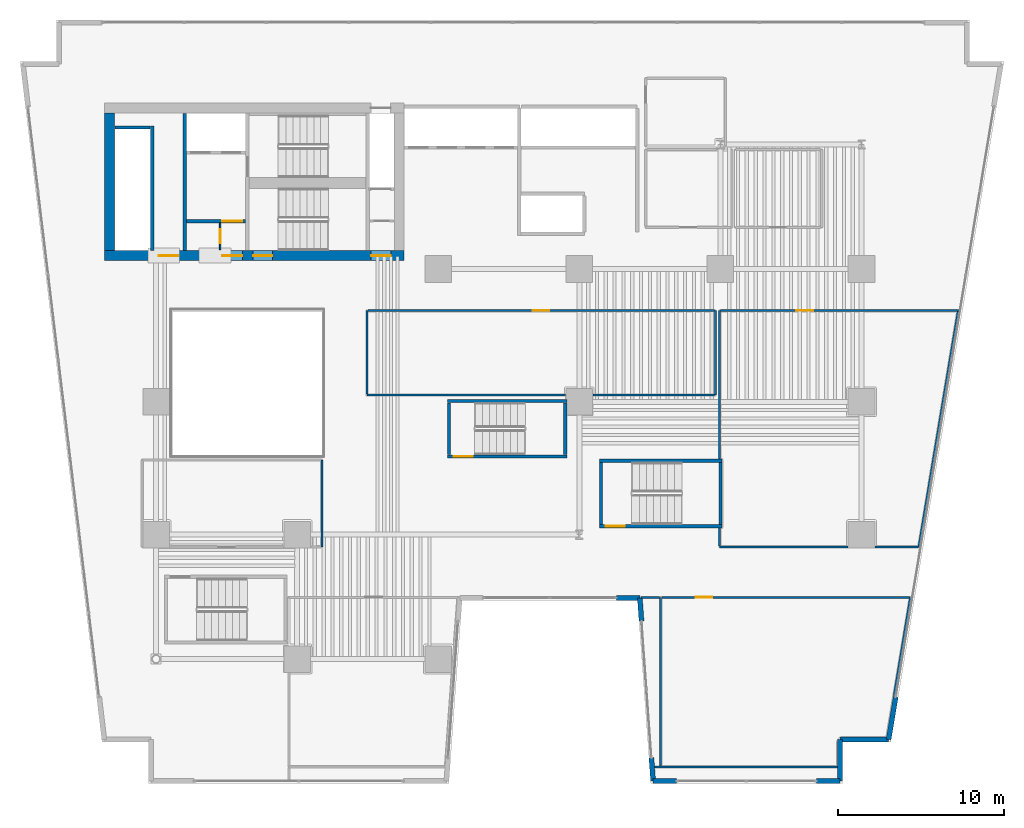
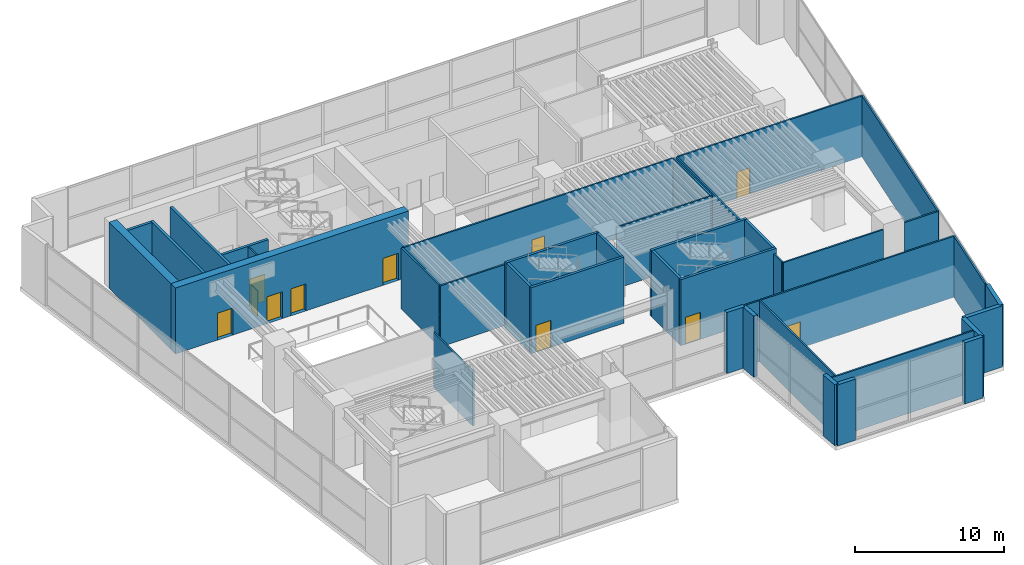
# One storey, part 9 of 16: 40 walls, 11 doors, 11 openings.
"""IFC4 building model written with IfcOpenShell, lengths in metres."""

import ifcopenshell
import ifcopenshell.guid

model = None  # the IFC model being written
_history = None  # IfcOwnerHistory: only IFC2X3 demands one
_inside = {}  # id of a spatial element -> (the spatial element, [elements in it])
_under = {}  # id of a project, library or spatial element -> (it, [spatial elements below it])
_declared = {}  # id of a project -> (the project, [libraries it declares])
_typed = {}  # id of a type object -> (the type object, [elements of that type])
_made_of = {}  # id of a material, layer set ... -> (it, [elements and type objects made of it])


def new_model(schema):
    """Start an empty IFC model of exactly this schema.

    Asked for "IFC4X3", IfcOpenShell would pick the latest addendum, in which some entities
    have other attributes; the version numbers below select the first issue.
    IFC2X3 requires an IfcOwnerHistory on every rooted entity: one is made here for all.
    """
    global model, _history
    if schema == "IFC4X3":
        model = ifcopenshell.file(schema_version=(4, 3, 0, 0))
    else:
        model = ifcopenshell.file(schema=schema)
    _inside.clear()
    _under.clear()
    _declared.clear()
    _typed.clear()
    _made_of.clear()
    _history = None
    if model.schema == "IFC2X3":
        org = make("IfcOrganization", Name="unknown")
        user = make(
            "IfcPersonAndOrganization",
            ThePerson=make("IfcPerson", FamilyName="unknown"),
            TheOrganization=org,
        )
        app = make(
            "IfcApplication",
            ApplicationDeveloper=org,
            Version="unknown",
            ApplicationFullName="unknown",
            ApplicationIdentifier="unknown",
        )
        _history = make(
            "IfcOwnerHistory",
            OwningUser=user,
            OwningApplication=app,
            ChangeAction="ADDED",
            CreationDate=0,
        )
    return model


def make(cls, **values):
    """One entity of the class cls with the attributes given. An attribute that is None is left unset."""
    return model.create_entity(
        cls, **{name: value for name, value in values.items() if value is not None}
    )


def rooted(cls, **values):
    """An entity with a GlobalId (a new one), such as an element, a storey or a relation."""
    return make(cls, GlobalId=ifcopenshell.guid.new(), OwnerHistory=_history, **values)


def si_unit(unit_type, name, prefix=None):
    """IfcSIUnit, for example si_unit("LENGTHUNIT", "METRE", prefix="MILLI")."""
    return make("IfcSIUnit", UnitType=unit_type, Prefix=prefix, Name=name)


def assignment(units):
    """IfcUnitAssignment: the units of a project."""
    return None if units is None else make("IfcUnitAssignment", Units=units)


def point(xyz):
    """IfcCartesianPoint."""
    return None if xyz is None else make("IfcCartesianPoint", Coordinates=xyz)


def direction(xyz):
    """IfcDirection."""
    return None if xyz is None else make("IfcDirection", DirectionRatios=xyz)


def frame(location, z_axis=None, x_axis=None):
    """IfcAxis2Placement3D, a coordinate frame: its origin and axes. An axis left out is left unset."""
    return make(
        "IfcAxis2Placement3D",
        Location=point(location),
        Axis=direction(z_axis),
        RefDirection=direction(x_axis),
    )


def frame_2d(location, x_axis=None):
    """IfcAxis2Placement2D, a coordinate frame in the plane: its origin and x axis."""
    return make(
        "IfcAxis2Placement2D", Location=point(location), RefDirection=direction(x_axis)
    )


def origin():
    """The frame at (0, 0, 0) with its axes left unset."""
    return frame((0.0, 0.0, 0.0))


def place(relative_to, where):
    """IfcLocalPlacement: puts the frame where relative to a parent placement (None: the world)."""
    return make(
        "IfcLocalPlacement", PlacementRelTo=relative_to, RelativePlacement=where
    )


def context(
    kind, dimensions, precision=None, world=None, true_north=None, identifier=None
):
    """IfcGeometricRepresentationContext, for example the 3D "Model" context."""
    return make(
        "IfcGeometricRepresentationContext",
        ContextIdentifier=identifier,
        ContextType=kind,
        CoordinateSpaceDimension=dimensions,
        Precision=precision,
        WorldCoordinateSystem=world,
        TrueNorth=true_north,
    )


def subcontext(parent, identifier, kind, view, scale=None):
    """IfcGeometricRepresentationSubContext, for example "Body" below "Model"."""
    return make(
        "IfcGeometricRepresentationSubContext",
        ContextIdentifier=identifier,
        ContextType=kind,
        ParentContext=parent,
        TargetScale=scale,
        TargetView=view,
    )


def project(units=None, contexts=None):
    """IfcProject with its units and contexts."""
    return rooted(
        "IfcProject",
        Name="project",
        RepresentationContexts=contexts,
        UnitsInContext=assignment(units),
    )


def spatial(cls, under=None, at=None, **own):
    """A site, building, storey or space (cls), placed at a placement, below another one or the project."""
    s = rooted(cls, ObjectPlacement=at, **own)
    if under is not None:
        _under.setdefault(under.id(), (under, []))[1].append(s)
    return s


def profile(cls, at=None, kind="AREA", **sizes):
    """A parametric profile (cls). Its sizes go by their IFC names, for example OverallWidth=200.0."""
    return make(cls, ProfileType=kind, Position=at, **sizes)


def rectangle(**sizes):
    """IfcRectangleProfileDef."""
    return profile("IfcRectangleProfileDef", **sizes)


def extrude(swept, where, along, depth):
    """IfcExtrudedAreaSolid: the profile swept, set in the frame where, extruded along a direction by depth."""
    return make(
        "IfcExtrudedAreaSolid",
        SweptArea=swept,
        Position=where,
        ExtrudedDirection=direction(along),
        Depth=depth,
    )


def shape(context_of_items, identifier, shape_type, items):
    """IfcShapeRepresentation: the items that make up one representation, for example the "Body"."""
    return make(
        "IfcShapeRepresentation",
        ContextOfItems=context_of_items,
        RepresentationIdentifier=identifier,
        RepresentationType=shape_type,
        Items=items,
    )


def material(Name=None, Category=None):
    """IfcMaterial."""
    return make("IfcMaterial", Name=Name, Category=Category)


def layer(
    of_material, thickness, ventilated=None, Name=None, Category=None, Priority=None
):
    """IfcMaterialLayer: one layer of a wall or slab, of a material (None: an air gap)."""
    return make(
        "IfcMaterialLayer",
        Material=of_material,
        LayerThickness=thickness,
        IsVentilated=ventilated,
        Name=Name,
        Category=Category,
        Priority=Priority,
    )


def layer_set(layers, Name=None):
    """IfcMaterialLayerSet."""
    return make("IfcMaterialLayerSet", MaterialLayers=layers, LayerSetName=Name)


def made_of(thing, what):
    """Note that an element or type object is made of a material, layer set ...; save() writes the relation."""
    if what is not None:
        _made_of.setdefault(what.id(), (what, []))[1].append(thing)
    return thing


def type_object(cls, material=None, **own):
    """A type object (cls), such as IfcWallType, which elements share."""
    return made_of(rooted(cls, **own), material)


def element(
    cls,
    number,
    at=None,
    inside=None,
    cuts=None,
    type_object=None,
    material=None,
    context=None,
    identifier="Body",
    shape_type=None,
    held_by="IfcProductDefinitionShape",
    body=None,
    shapes=None,
    **own,
):
    """One element of the class cls, such as IfcWall. Its Tag is "e" and its number.

    at: its placement. inside: the storey or other place that contains it. cuts: it is an
    opening in that element (IfcRelVoidsElement). A single representation is given by context,
    identifier, shape_type and body (its items); several are given by shapes. held_by: the class
    of the entity that holds the representations. save() writes the other relations.
    """
    e = rooted(cls, Tag="e%d" % number, ObjectPlacement=at, **own)
    if body is not None:
        shapes = [shape(context, identifier, shape_type, body)]
    if shapes is not None:
        e.Representation = make(held_by, Representations=shapes)
    if inside is not None:
        _inside.setdefault(inside.id(), (inside, []))[1].append(e)
    if cuts is not None:
        rooted(
            "IfcRelVoidsElement", RelatingBuildingElement=cuts, RelatedOpeningElement=e
        )
    if type_object is not None:
        _typed.setdefault(type_object.id(), (type_object, []))[1].append(e)
    return made_of(e, material)


def fill(opening, filler):
    """IfcRelFillsElement: the door or window that sits in an opening."""
    return rooted(
        "IfcRelFillsElement",
        RelatingOpeningElement=opening,
        RelatedBuildingElement=filler,
    )


def aggregate(whole, parts):
    """IfcRelAggregates: a whole, such as a stair, and the parts it consists of."""
    return rooted("IfcRelAggregates", RelatingObject=whole, RelatedObjects=parts)


def save(model, path):
    """Write the relations noted so far, then the file.

    IfcRelAggregates (storeys below a building ...), IfcRelContainedInSpatialStructure (elements
    in a storey), IfcRelDefinesByType, IfcRelAssociatesMaterial and IfcRelDeclares: one each for
    every whole, place, type object, material and project.
    """
    for whole, parts in _under.values():
        aggregate(whole, parts)
    for where, things in _inside.values():
        rooted(
            "IfcRelContainedInSpatialStructure",
            RelatedElements=things,
            RelatingStructure=where,
        )
    for kind, things in _typed.values():
        rooted("IfcRelDefinesByType", RelatedObjects=things, RelatingType=kind)
    for what, things in _made_of.values():
        rooted("IfcRelAssociatesMaterial", RelatedObjects=things, RelatingMaterial=what)
    for by, libraries in _declared.values():
        rooted("IfcRelDeclares", RelatingContext=by, RelatedDefinitions=libraries)
    model.write(path)


model = new_model("IFC4")

# Units and contexts
model_context = context("Model", 3, precision=1e-05, world=origin(), true_north=direction((0.0, 1.0)))
body_context = subcontext(model_context, "Body", "Model", "MODEL_VIEW")
ifc_project = project(units=[si_unit("LENGTHUNIT", "METRE"), si_unit("AREAUNIT", "SQUARE_METRE"), si_unit("VOLUMEUNIT", "CUBIC_METRE"), si_unit("PLANEANGLEUNIT", "RADIAN"), si_unit("MASSUNIT", "GRAM", prefix="KILO")], contexts=[model_context])

# Site, building, storey
site_placement = place(None, origin())
site = spatial("IfcSite", under=ifc_project, at=site_placement, CompositionType="ELEMENT")
building_placement = place(site_placement, origin())
building = spatial("IfcBuilding", under=site, at=building_placement, Name="Caeloran Harvest Quay", CompositionType="ELEMENT")
storey_placement = place(building_placement, frame((0.0, 0.0, 16.199951171875)))
storey = spatial("IfcBuildingStorey", under=building, at=storey_placement, Name="L04", CompositionType="ELEMENT", Elevation=16.199951171875)

# Walls
ifc_material_1 = material(Name="Precast concrete C50/60", Category="concrete")
ifc_layer_1 = layer(ifc_material_1, 0.300048828125, Name="Precast concrete C50/60")
ifc_layer_set_1 = layer_set([ifc_layer_1], Name="Precast concrete C50/60")
wall_type_1 = type_object("IfcWallType", Name="ENV-WALL-EW-300", PredefinedType="STANDARD", material=ifc_layer_set_1)
wall_1_placement = place(storey_placement, frame((53.059814453125, 5.214599609375, 0.0), z_axis=(0.0, 0.0, 1.0), x_axis=(-0.164140117583, -0.986437033875, 0.0)))
element("IfcWall", 1, at=wall_1_placement, inside=storey, type_object=wall_type_1, Name="L04 Exterior Facade Corner Pier Wall 9B", PredefinedType="STANDARD", context=body_context, shape_type="SweptSolid", body=[
    extrude(rectangle(XDim=2.599853515625, YDim=0.300048828125, at=frame_2d((1.2998046875, 0.0))), origin(), (0.0, 0.0, 1.0), 5.0),
])
wall_2_placement = place(storey_placement, frame((52.633056640625, 2.64990234375, 0.0), z_axis=(0.0, 0.0, 1.0), x_axis=(-1.0, 0.0, 0.0)))
element("IfcWall", 2, at=wall_2_placement, inside=storey, type_object=wall_type_1, Name="L04 Exterior Precast Concrete Facade Wall 10", PredefinedType="STANDARD", context=body_context, shape_type="SweptSolid", body=[
    extrude(rectangle(XDim=2.93896484375, YDim=0.300048828125, at=frame_2d((1.469482421875, 0.0))), origin(), (0.0, 0.0, 1.0), 5.0),
])
wall_3_placement = place(storey_placement, frame((49.694091796875, 2.64990234375, 0.0), z_axis=(0.0, 0.0, 1.0), x_axis=(0.0, -1.0, 0.0)))
element("IfcWall", 3, at=wall_3_placement, inside=storey, type_object=wall_type_1, Name="L04 Exterior Precast Concrete Facade Wall 11", PredefinedType="STANDARD", context=body_context, shape_type="SweptSolid", body=[
    extrude(rectangle(XDim=2.5, YDim=0.300048828125, at=frame_2d((1.25, 0.0))), origin(), (0.0, 0.0, 1.0), 5.0),
])
wall_4_placement = place(storey_placement, frame((49.694091796875, 0.14990234375, 0.0), z_axis=(0.0, 0.0, 1.0), x_axis=(-1.0, 0.0, 0.0)))
element("IfcWall", 4, at=wall_4_placement, inside=storey, type_object=wall_type_1, Name="L04 Exterior Facade Corner Pier Wall 12A", PredefinedType="STANDARD", context=body_context, shape_type="SweptSolid", body=[
    extrude(rectangle(XDim=1.400146484375, YDim=0.300048828125, at=frame_2d((0.7001953125, 0.0))), origin(), (0.0, 0.0, 1.0), 5.0),
])
wall_5_placement = place(storey_placement, frame((39.843505859375, 0.14990234375, 0.0), z_axis=(0.0, 0.0, 1.0), x_axis=(-1.0, 0.0, 0.0)))
element("IfcWall", 5, at=wall_5_placement, inside=storey, type_object=wall_type_1, Name="L04 Exterior Facade Corner Pier Wall 12B", PredefinedType="STANDARD", context=body_context, shape_type="SweptSolid", body=[
    extrude(rectangle(XDim=1.39990234375, YDim=0.300048828125, at=frame_2d((0.699951171875, 0.0))), origin(), (0.0, 0.0, 1.0), 5.0),
])
wall_6_placement = place(storey_placement, frame((38.443603515625, 0.14990234375, 0.0), z_axis=(0.0, 0.0, 1.0), x_axis=(-0.072362245244, 0.997378416381, 0.0)))
element("IfcWall", 6, at=wall_6_placement, inside=storey, type_object=wall_type_1, Name="L04 Exterior Facade Corner Pier Wall 13A", PredefinedType="STANDARD", context=body_context, shape_type="SweptSolid", body=[
    extrude(rectangle(XDim=1.400146484375, YDim=0.300048828125, at=frame_2d((0.7001953125, 0.0))), origin(), (0.0, 0.0, 1.0), 5.0),
])
wall_7_placement = place(storey_placement, frame((37.74462890625, 9.793701171875, 0.0), z_axis=(0.0, 0.0, 1.0), x_axis=(-0.072201344972, 0.997390077043, 0.0)))
element("IfcWall", 7, at=wall_7_placement, inside=storey, type_object=wall_type_1, Name="L04 Exterior Facade Corner Pier Wall 13B", PredefinedType="STANDARD", context=body_context, shape_type="SweptSolid", body=[
    extrude(rectangle(XDim=1.39990234375, YDim=0.300048828125, at=frame_2d((0.699951171875, 0.0))), origin(), (0.0, 0.0, 1.0), 5.0),
])
wall_8_placement = place(storey_placement, frame((37.6435546875, 11.18994140625, 0.0), z_axis=(0.0, 0.0, 1.0), x_axis=(-1.0, 0.0, 0.0)))
element("IfcWall", 8, at=wall_8_placement, inside=storey, type_object=wall_type_1, Name="L04 Exterior Facade Corner Pier Wall 14A", PredefinedType="STANDARD", context=body_context, shape_type="SweptSolid", body=[
    extrude(rectangle(XDim=1.400146484375, YDim=0.300048828125, at=frame_2d((0.7001953125, 0.0))), origin(), (0.0, 0.0, 1.0), 5.0),
])

# Wall, opening, door
ifc_material_2 = material(Name="Fire-Resisting Gypsum Core Riser Partition", Category="gypsum")
ifc_layer_2 = layer(ifc_material_2, 0.10009765625, Name="Fire-Resisting Gypsum Core Riser Partition")
ifc_layer_set_2 = layer_set([ifc_layer_2], Name="Fire-Resisting Gypsum Core Riser Partition")
wall_type_2 = type_object("IfcWallType", Name="INT-WALL-PW-100", PredefinedType="PARTITIONING", material=ifc_layer_set_2)
wall_9_placement = place(storey_placement, frame((12.360107421875, 32.159912109375, 0.0), z_axis=(0.0, 0.0, 1.0), x_axis=(0.0, 1.0, 0.0)))
wall_9 = element("IfcWall", 9, at=wall_9_placement, inside=storey, type_object=wall_type_2, Name="L04 Core Store Partition Wall", PredefinedType="PARTITIONING", context=body_context, shape_type="SweptSolid", body=[
    extrude(rectangle(XDim=1.6201171875, YDim=0.10009765625, at=frame_2d((0.81005859375, 0.0))), origin(), (0.0, 0.0, 1.0), 5.0),
])
opening_1_placement = place(wall_9_placement, frame((0.3798828125, 0.0, 0.0)))
opening_1 = element("IfcOpeningElement", 10, at=opening_1_placement, cuts=wall_9, Name="Opening SV-01", PredefinedType="OPENING", context=body_context, shape_type="SweptSolid", body=[
    extrude(rectangle(XDim=0.85009765625, YDim=2.10009765625, at=frame_2d((0.425048828125, 1.050048828125))), frame((0.0, 0.06005859375, 0.0), z_axis=(0.0, -1.0, 0.0), x_axis=(1.0, 0.0, 0.0)), (0.0, 0.0, 1.0), 0.1201171875),
])
ifc_material_3 = material(Name="Galvanized Painted Steel", Category="steel")
door_type_1 = type_object("IfcDoorType", Name="INTDOOR-SV-01", OperationType="NOTDEFINED", PredefinedType="DOOR", material=ifc_material_3)
door_1_placement = place(opening_1_placement, origin())
door_1 = element("IfcDoor", 11, at=door_1_placement, inside=storey, type_object=door_type_1, Name="L04 Core Service Room Access Door", OperationType="SINGLE_SWING_LEFT", OverallHeight=2.10009765625, OverallWidth=0.85009765625, PredefinedType="DOOR", context=body_context, shape_type="SweptSolid", body=[
    extrude(rectangle(XDim=0.85009765625, YDim=2.10009765625, at=frame_2d((0.425048828125, 1.050048828125))), frame((0.0, 0.02490234375, 0.0), z_axis=(0.0, -1.0, 0.0), x_axis=(1.0, 0.0, 0.0)), (0.0, 0.0, 1.0), 0.050048828125),
])
fill(opening_1, door_1)

# Walls
ifc_material_4 = material(Name="Twin-Stud Mineral-Wool Acoustic Gypsum Partition", Category="gypsum")
ifc_layer_3 = layer(ifc_material_4, 0.125, Name="Twin-Stud Mineral-Wool Acoustic Gypsum Partition")
ifc_layer_set_3 = layer_set([ifc_layer_3], Name="Twin-Stud Mineral-Wool Acoustic Gypsum Partition")
wall_type_3 = type_object("IfcWallType", Name="INT-WALL-PW-125", PredefinedType="PARTITIONING", material=ifc_layer_set_3)
wall_10_placement = place(storey_placement, frame((18.5, 19.5, 0.0), z_axis=(0.0, 0.0, 1.0), x_axis=(0.0, -1.0, 0.0)))
element("IfcWall", 12, at=wall_10_placement, inside=storey, type_object=wall_type_3, Name="Urban Agriculture Culinary Teaching Classroom Partition Wall", PredefinedType="PARTITIONING", context=body_context, shape_type="SweptSolid", body=[
    extrude(rectangle(XDim=5.25, YDim=0.125, at=frame_2d((2.625, 0.0))), origin(), (0.0, 0.0, 1.0), 4.485107421875),
])
wall_11_placement = place(storey_placement, frame((53.947998046875, 11.219970703125, 0.0), z_axis=(0.0, 0.0, 1.0), x_axis=(-0.164154643918, -0.986434616627, 0.0)))
element("IfcWall", 13, at=wall_11_placement, inside=storey, type_object=wall_type_3, Name="Demonstration Training Kitchen Partition Wall", PredefinedType="PARTITIONING", context=body_context, shape_type="SweptSolid", body=[
    extrude(rectangle(XDim=5.9951171875, YDim=0.125, at=frame_2d((2.99755859375, 0.0))), origin(), (0.0, 0.0, 1.0), 5.0),
])
wall_12_placement = place(storey_placement, frame((49.5390625, 1.0, 0.0), z_axis=(0.0, 0.0, 1.0), x_axis=(-1.0, 0.0, 0.0)))
element("IfcWall", 14, at=wall_12_placement, inside=storey, type_object=wall_type_3, Name="Demonstration Training Kitchen Partition Wall", PredefinedType="PARTITIONING", context=body_context, shape_type="SweptSolid", body=[
    extrude(rectangle(XDim=11.001708984375, YDim=0.125, at=frame_2d((5.5009765625, 0.0))), origin(), (0.0, 0.0, 1.0), 5.0),
])
wall_13_placement = place(storey_placement, frame((38.89990234375, 1.0673828125, 0.0), z_axis=(0.0, 0.0, 1.0), x_axis=(0.0, 1.0, 0.0)))
element("IfcWall", 15, at=wall_13_placement, inside=storey, type_object=wall_type_3, Name="Demonstration Training Kitchen Partition Wall", PredefinedType="PARTITIONING", context=body_context, shape_type="SweptSolid", body=[
    extrude(rectangle(XDim=10.152587890625, YDim=0.125, at=frame_2d((5.076171875, 0.0))), origin(), (0.0, 0.0, 1.0), 5.0),
])
wall_14_placement = place(storey_placement, frame((37.718017578125, 11.219970703125, 0.0), z_axis=(0.0, 0.0, 1.0), x_axis=(1.0, 0.0, 0.0)))
element("IfcWall", 16, at=wall_14_placement, inside=storey, type_object=wall_type_3, Name="Demonstration Training Kitchen Partition Wall", PredefinedType="PARTITIONING", context=body_context, shape_type="SweptSolid", body=[
    extrude(rectangle(XDim=1.114501953125, YDim=0.125, at=frame_2d((0.55712890625, 0.0))), origin(), (0.0, 0.0, 1.0), 5.0),
])

# Wall, opening, door
wall_15_placement = place(storey_placement, frame((38.967529296875, 11.219970703125, 0.0), z_axis=(0.0, 0.0, 1.0), x_axis=(1.0, 0.0, 0.0)))
wall_15 = element("IfcWall", 17, at=wall_15_placement, inside=storey, type_object=wall_type_3, Name="Demonstration Training Kitchen Partition Wall", PredefinedType="PARTITIONING", context=body_context, shape_type="SweptSolid", body=[
    extrude(rectangle(XDim=14.912109375, YDim=0.125, at=frame_2d((7.4560546875, 0.0))), origin(), (0.0, 0.0, 1.0), 5.0),
])
opening_2_placement = place(wall_15_placement, frame((2.0341796875, 0.0, 0.0)))
opening_2 = element("IfcOpeningElement", 18, at=opening_2_placement, cuts=wall_15, Name="Opening ID-01", PredefinedType="OPENING", context=body_context, shape_type="SweptSolid", body=[
    extrude(rectangle(XDim=1.0, YDim=2.14990234375, at=frame_2d((0.5, 1.074951171875))), frame((0.0, 0.072509765625, 0.0), z_axis=(0.0, -1.0, 0.0), x_axis=(1.0, 0.0, 0.0)), (0.0, 0.0, 1.0), 0.14501953125),
])
ifc_material_5 = material(Name="FSC Solid-Core Ash Timber and Acoustic Seal", Category="wood")
door_type_2 = type_object("IfcDoorType", Name="INTDOOR-ID-01", OperationType="NOTDEFINED", PredefinedType="DOOR", material=ifc_material_5)
door_2_placement = place(opening_2_placement, origin())
door_2 = element("IfcDoor", 19, at=door_2_placement, inside=storey, type_object=door_type_2, Name="Demonstration Training Kitchen Access Door", OperationType="SINGLE_SWING_RIGHT", OverallHeight=2.14990234375, OverallWidth=1.0, PredefinedType="DOOR", context=body_context, shape_type="SweptSolid", body=[
    extrude(rectangle(XDim=1.0, YDim=2.14990234375, at=frame_2d((0.5, 1.074951171875))), frame((0.0, 0.02490234375, 0.0), z_axis=(0.0, -1.0, 0.0), x_axis=(1.0, 0.0, 0.0)), (0.0, 0.0, 1.0), 0.050048828125),
])
fill(opening_2, door_2)

# Walls
wall_16_placement = place(storey_placement, frame((42.199951171875, 28.5, 0.0), z_axis=(0.0, 0.0, 1.0), x_axis=(0.0, -1.0, 0.0)))
element("IfcWall", 20, at=wall_16_placement, inside=storey, type_object=wall_type_3, Name="Seed-to-Plate Exhibition Gallery Partition Wall", PredefinedType="PARTITIONING", context=body_context, shape_type="SweptSolid", body=[
    extrude(rectangle(XDim=5.10009765625, YDim=0.125, at=frame_2d((2.550048828125, 0.0))), origin(), (0.0, 0.0, 1.0), 5.0),
])
wall_17_placement = place(storey_placement, frame((42.132568359375, 23.39990234375, 0.0), z_axis=(0.0, 0.0, 1.0), x_axis=(-1.0, 0.0, 0.0)))
element("IfcWall", 21, at=wall_17_placement, inside=storey, type_object=wall_type_3, Name="Seed-to-Plate Exhibition Gallery Partition Wall", PredefinedType="PARTITIONING", context=body_context, shape_type="SweptSolid", body=[
    extrude(rectangle(XDim=7.3076171875, YDim=0.125, at=frame_2d((3.65380859375, 0.0))), origin(), (0.0, 0.0, 1.0), 5.0),
])
wall_18_placement = place(storey_placement, frame((33.175048828125, 23.39990234375, 0.0), z_axis=(0.0, 0.0, 1.0), x_axis=(-1.0, 0.0, 0.0)))
element("IfcWall", 22, at=wall_18_placement, inside=storey, type_object=wall_type_3, Name="Seed-to-Plate Exhibition Gallery Partition Wall", PredefinedType="PARTITIONING", context=body_context, shape_type="SweptSolid", body=[
    extrude(rectangle(XDim=11.97509765625, YDim=0.125, at=frame_2d((5.987548828125, 0.0))), origin(), (0.0, 0.0, 1.0), 5.0),
])
wall_19_placement = place(storey_placement, frame((21.199951171875, 23.467529296875, 0.0), z_axis=(0.0, 0.0, 1.0), x_axis=(0.0, 1.0, 0.0)))
element("IfcWall", 23, at=wall_19_placement, inside=storey, type_object=wall_type_3, Name="Seed-to-Plate Exhibition Gallery Partition Wall", PredefinedType="PARTITIONING", context=body_context, shape_type="SweptSolid", body=[
    extrude(rectangle(XDim=5.032470703125, YDim=0.125, at=frame_2d((2.51611328125, 0.0))), origin(), (0.0, 0.0, 1.0), 5.0),
])

# Wall, opening, door
wall_20_placement = place(storey_placement, frame((21.267578125, 28.5, 0.0), z_axis=(0.0, 0.0, 1.0), x_axis=(1.0, 0.0, 0.0)))
wall_20 = element("IfcWall", 24, at=wall_20_placement, inside=storey, type_object=wall_type_3, Name="Seed-to-Plate Exhibition Gallery Partition Wall", PredefinedType="PARTITIONING", context=body_context, shape_type="SweptSolid", body=[
    extrude(rectangle(XDim=20.864990234375, YDim=0.125, at=frame_2d((10.4326171875, 0.0))), origin(), (0.0, 0.0, 1.0), 5.0),
])
opening_3_placement = place(wall_20_placement, frame((9.9326171875, 0.0, 0.0)))
opening_3 = element("IfcOpeningElement", 25, at=opening_3_placement, cuts=wall_20, Name="Opening ID-01", PredefinedType="OPENING", context=body_context, shape_type="SweptSolid", body=[
    extrude(rectangle(XDim=1.0, YDim=2.14990234375, at=frame_2d((0.5, 1.074951171875))), frame((0.0, 0.072509765625, 0.0), z_axis=(0.0, -1.0, 0.0), x_axis=(1.0, 0.0, 0.0)), (0.0, 0.0, 1.0), 0.14501953125),
])
door_3_placement = place(opening_3_placement, origin())
door_3 = element("IfcDoor", 26, at=door_3_placement, inside=storey, type_object=door_type_2, Name="Seed-to-Plate Exhibition Gallery Access Door", OperationType="SINGLE_SWING_LEFT", OverallHeight=2.14990234375, OverallWidth=1.0, PredefinedType="DOOR", context=body_context, shape_type="SweptSolid", body=[
    extrude(rectangle(XDim=1.0, YDim=2.14990234375, at=frame_2d((0.5, 1.074951171875))), frame((0.0, 0.02490234375, 0.0), z_axis=(0.0, -1.0, 0.0), x_axis=(1.0, 0.0, 0.0)), (0.0, 0.0, 1.0), 0.050048828125),
])
fill(opening_3, door_3)

# Wall
wall_21_placement = place(storey_placement, frame((42.449951171875, 19.554931640625, 0.0), z_axis=(0.0, 0.0, 1.0), x_axis=(0.0, 1.0, 0.0)))
element("IfcWall", 27, at=wall_21_placement, inside=storey, type_object=wall_type_3, Name="Community Harvest Library Lounge Partition Wall", PredefinedType="PARTITIONING", context=body_context, shape_type="SweptSolid", body=[
    extrude(rectangle(XDim=8.945068359375, YDim=0.125, at=frame_2d((4.47265625, 0.0))), origin(), (0.0, 0.0, 1.0), 5.0),
])

# Wall, opening, door
wall_22_placement = place(storey_placement, frame((42.517578125, 28.5, 0.0), z_axis=(0.0, 0.0, 1.0), x_axis=(1.0, 0.0, 0.0)))
wall_22 = element("IfcWall", 28, at=wall_22_placement, inside=storey, type_object=wall_type_3, Name="Community Harvest Library Lounge Partition Wall", PredefinedType="PARTITIONING", context=body_context, shape_type="SweptSolid", body=[
    extrude(rectangle(XDim=14.311279296875, YDim=0.125, at=frame_2d((7.15576171875, 0.0))), origin(), (0.0, 0.0, 1.0), 5.0),
])
opening_4_placement = place(wall_22_placement, frame((4.564208984375, 0.0, 0.0)))
opening_4 = element("IfcOpeningElement", 29, at=opening_4_placement, cuts=wall_22, Name="Opening ID-01", PredefinedType="OPENING", context=body_context, shape_type="SweptSolid", body=[
    extrude(rectangle(XDim=1.0, YDim=2.14990234375, at=frame_2d((0.5, 1.074951171875))), frame((0.0, 0.072509765625, 0.0), z_axis=(0.0, -1.0, 0.0), x_axis=(1.0, 0.0, 0.0)), (0.0, 0.0, 1.0), 0.14501953125),
])
door_4_placement = place(opening_4_placement, origin())
door_4 = element("IfcDoor", 30, at=door_4_placement, inside=storey, type_object=door_type_2, Name="Community Harvest Library Lounge Access Door", OperationType="SINGLE_SWING_RIGHT", OverallHeight=2.14990234375, OverallWidth=1.0, PredefinedType="DOOR", context=body_context, shape_type="SweptSolid", body=[
    extrude(rectangle(XDim=1.0, YDim=2.14990234375, at=frame_2d((0.5, 1.074951171875))), frame((0.0, 0.02490234375, 0.0), z_axis=(0.0, -1.0, 0.0), x_axis=(1.0, 0.0, 0.0)), (0.0, 0.0, 1.0), 0.050048828125),
])
fill(opening_4, door_4)

# Walls
wall_23_placement = place(storey_placement, frame((56.812744140625, 28.4326171875, 0.0), z_axis=(0.0, 0.0, 1.0), x_axis=(-0.16420072603, -0.9864269469, 0.0)))
element("IfcWall", 31, at=wall_23_placement, inside=storey, type_object=wall_type_3, Name="Community Harvest Library Lounge Partition Wall", PredefinedType="PARTITIONING", context=body_context, shape_type="SweptSolid", body=[
    extrude(rectangle(XDim=14.377685546875, YDim=0.125, at=frame_2d((7.18896484375, 0.0))), origin(), (0.0, 0.0, 1.0), 5.0),
])
wall_24_placement = place(storey_placement, frame((54.42138671875, 14.25, 0.0), z_axis=(0.0, 0.0, 1.0), x_axis=(-1.0, 0.0, 0.0)))
element("IfcWall", 32, at=wall_24_placement, inside=storey, type_object=wall_type_3, Name="Community Harvest Library Lounge Partition Wall", PredefinedType="PARTITIONING", context=body_context, shape_type="SweptSolid", body=[
    extrude(rectangle(XDim=2.596435546875, YDim=0.125, at=frame_2d((1.29833984375, 0.0))), origin(), (0.0, 0.0, 1.0), 5.0),
])
wall_25_placement = place(storey_placement, frame((50.175048828125, 14.25, 0.0), z_axis=(0.0, 0.0, 1.0), x_axis=(-1.0, 0.0, 0.0)))
element("IfcWall", 33, at=wall_25_placement, inside=storey, type_object=wall_type_3, Name="Community Harvest Library Lounge Partition Wall", PredefinedType="PARTITIONING", context=body_context, shape_type="SweptSolid", body=[
    extrude(rectangle(XDim=7.72509765625, YDim=0.125, at=frame_2d((3.862548828125, 0.0))), origin(), (0.0, 0.0, 1.0), 5.0),
])
wall_26_placement = place(storey_placement, frame((42.449951171875, 14.3173828125, 0.0), z_axis=(0.0, 0.0, 1.0), x_axis=(0.0, 1.0, 0.0)))
element("IfcWall", 34, at=wall_26_placement, inside=storey, type_object=wall_type_3, Name="Community Harvest Library Lounge Partition Wall", PredefinedType="PARTITIONING", context=body_context, shape_type="SweptSolid", body=[
    extrude(rectangle(XDim=1.07763671875, YDim=0.125, at=frame_2d((0.538818359375, 0.0))), origin(), (0.0, 0.0, 1.0), 5.0),
])
ifc_material_6 = material(Name="Concrete C50/60", Category="concrete")
ifc_layer_4 = layer(ifc_material_6, 0.199951171875, Name="Concrete C50/60")
ifc_layer_set_4 = layer_set([ifc_layer_4], Name="Concrete C50/60")
wall_type_4 = type_object("IfcWallType", Name="INT-WALL-SW-200", PredefinedType="PARTITIONING", material=ifc_layer_set_4)
wall_27_placement = place(storey_placement, frame((8.260009765625, 32.1201171875, 0.0), z_axis=(0.0, 0.0, 1.0), x_axis=(0.0, 1.0, 0.0)))
element("IfcWall", 35, at=wall_27_placement, inside=storey, type_object=wall_type_4, Name="L04 Bank 3 Lift Shaft Wall", PredefinedType="PARTITIONING", context=body_context, shape_type="SweptSolid", body=[
    extrude(rectangle(XDim=7.5, YDim=0.199951171875, at=frame_2d((3.75, 0.0))), origin(), (0.0, 0.0, 1.0), 5.0),
])
wall_28_placement = place(storey_placement, frame((6.02001953125, 39.52001953125, 0.0), z_axis=(0.0, 0.0, 1.0), x_axis=(1.0, 0.0, 0.0)))
element("IfcWall", 36, at=wall_28_placement, inside=storey, type_object=wall_type_4, Name="L04 Bank 3 Lift Shaft North End Wall", PredefinedType="PARTITIONING", context=body_context, shape_type="SweptSolid", body=[
    extrude(rectangle(XDim=2.119873046875, YDim=0.199951171875, at=frame_2d((1.06005859375, 0.0))), origin(), (0.0, 0.0, 1.0), 5.0),
])
wall_29_placement = place(storey_placement, frame((10.219970703125, 32.1201171875, 0.0), z_axis=(0.0, 0.0, 1.0), x_axis=(0.0, 1.0, 0.0)))
element("IfcWall", 37, at=wall_29_placement, inside=storey, type_object=wall_type_4, Name="L04 Core Lobby Compartment Wall", PredefinedType="PARTITIONING", context=body_context, shape_type="SweptSolid", body=[
    extrude(rectangle(XDim=8.259765625, YDim=0.199951171875, at=frame_2d((4.1298828125, 0.0))), origin(), (0.0, 0.0, 1.0), 5.0),
])

# Wall, opening, door
wall_30_placement = place(storey_placement, frame((10.340087890625, 33.8798828125, 0.0), z_axis=(0.0, 0.0, 1.0), x_axis=(1.0, 0.0, 0.0)))
wall_30 = element("IfcWall", 38, at=wall_30_placement, inside=storey, type_object=wall_type_4, Name="L04 Firefighting Lift Lobby Enclosure Wall", PredefinedType="PARTITIONING", context=body_context, shape_type="SweptSolid", body=[
    extrude(rectangle(XDim=3.559814453125, YDim=0.199951171875, at=frame_2d((1.77978515625, 0.0))), origin(), (0.0, 0.0, 1.0), 5.0),
])
opening_5_placement = place(wall_30_placement, frame((2.14990234375, 0.0, 0.0)))
opening_5 = element("IfcOpeningElement", 39, at=opening_5_placement, cuts=wall_30, Name="Opening FD-01", PredefinedType="OPENING", context=body_context, shape_type="SweptSolid", body=[
    extrude(rectangle(XDim=1.199951171875, YDim=2.199951171875, at=frame_2d((0.60009765625, 1.10009765625))), frame((0.0, 0.10986328125, 0.0), z_axis=(0.0, -1.0, 0.0), x_axis=(1.0, 0.0, 0.0)), (0.0, 0.0, 1.0), 0.219970703125),
])
ifc_material_7 = material(Name="Steel", Category="steel")
door_type_3 = type_object("IfcDoorType", Name="INTDOOR-FD-01", OperationType="NOTDEFINED", PredefinedType="DOOR", material=ifc_material_7)
door_5_placement = place(opening_5_placement, origin())
door_5 = element("IfcDoor", 40, at=door_5_placement, inside=storey, type_object=door_type_3, Name="L04 Firefighting Lift Lobby Smoke-Seal Fire Door", OperationType="SINGLE_SWING_RIGHT", OverallHeight=2.199951171875, OverallWidth=1.199951171875, PredefinedType="DOOR", context=body_context, shape_type="SweptSolid", body=[
    extrude(rectangle(XDim=1.199951171875, YDim=2.199951171875, at=frame_2d((0.60009765625, 1.10009765625))), frame((0.0, 0.02490234375, 0.0), z_axis=(0.0, -1.0, 0.0), x_axis=(1.0, 0.0, 0.0)), (0.0, 0.0, 1.0), 0.050048828125),
])
fill(opening_5, door_5)

# Wall, openings, doors
ifc_material_8 = material(Name="Concrete C80/95", Category="concrete")
ifc_layer_5 = layer(ifc_material_8, 0.60009765625, Name="Concrete C80/95")
ifc_layer_set_5 = layer_set([ifc_layer_5], Name="Concrete C80/95")
wall_type_5 = type_object("IfcWallType", Name="STR-WALL-CW-600", PredefinedType="SHEAR", material=ifc_layer_set_5)
wall_31_placement = place(storey_placement, frame((5.39990234375, 31.800048828125, 0.0), z_axis=(0.0, 0.0, 1.0), x_axis=(1.0, 0.0, 0.0)))
wall_31 = element("IfcWall", 41, at=wall_31_placement, inside=storey, type_object=wall_type_5, Name="L04 Rear Core Shear Wall S", PredefinedType="SHEAR", context=body_context, shape_type="SweptSolid", body=[
    extrude(rectangle(XDim=18.050048828125, YDim=0.60009765625, at=frame_2d((9.02490234375, 0.0))), origin(), (0.0, 0.0, 1.0), 5.400146484375),
])
opening_6_placement = place(wall_31_placement, frame((3.25, 0.0, 0.0)))
opening_6 = element("IfcOpeningElement", 42, at=opening_6_placement, cuts=wall_31, Name="Opening FD-01", PredefinedType="OPENING", context=body_context, shape_type="SweptSolid", body=[
    extrude(rectangle(XDim=1.199951171875, YDim=2.199951171875, at=frame_2d((0.60009765625, 1.10009765625))), frame((0.0, 0.31005859375, 0.0), z_axis=(0.0, -1.0, 0.0), x_axis=(1.0, 0.0, 0.0)), (0.0, 0.0, 1.0), 0.6201171875),
])
opening_7_placement = place(wall_31_placement, frame((7.10009765625, 0.0, 0.0)))
opening_7 = element("IfcOpeningElement", 43, at=opening_7_placement, cuts=wall_31, Name="Opening FD-01", PredefinedType="OPENING", context=body_context, shape_type="SweptSolid", body=[
    extrude(rectangle(XDim=1.199951171875, YDim=2.199951171875, at=frame_2d((0.60009765625, 1.10009765625))), frame((0.0, 0.31005859375, 0.0), z_axis=(0.0, -1.0, 0.0), x_axis=(1.0, 0.0, 0.0)), (0.0, 0.0, 1.0), 0.6201171875),
])
opening_8_placement = place(wall_31_placement, frame((8.949951171875, 0.0, 0.0)))
opening_8 = element("IfcOpeningElement", 44, at=opening_8_placement, cuts=wall_31, Name="Opening SD-01", PredefinedType="OPENING", context=body_context, shape_type="SweptSolid", body=[
    extrude(rectangle(XDim=1.14990234375, YDim=2.199951171875, at=frame_2d((0.574951171875, 1.10009765625))), frame((0.0, 0.31005859375, 0.0), z_axis=(0.0, -1.0, 0.0), x_axis=(1.0, 0.0, 0.0)), (0.0, 0.0, 1.0), 0.6201171875),
])
opening_9_placement = place(wall_31_placement, frame((16.050048828125, 0.0, 0.0)))
opening_9 = element("IfcOpeningElement", 45, at=opening_9_placement, cuts=wall_31, Name="Opening FD-01", PredefinedType="OPENING", context=body_context, shape_type="SweptSolid", body=[
    extrude(rectangle(XDim=1.199951171875, YDim=2.199951171875, at=frame_2d((0.60009765625, 1.10009765625))), frame((0.0, 0.31005859375, 0.0), z_axis=(0.0, -1.0, 0.0), x_axis=(1.0, 0.0, 0.0)), (0.0, 0.0, 1.0), 0.6201171875),
])
door_6_placement = place(opening_6_placement, origin())
door_6 = element("IfcDoor", 46, at=door_6_placement, inside=storey, type_object=door_type_3, Name="L04 High-Rise Lift Lobby Fire Door", OperationType="SINGLE_SWING_RIGHT", OverallHeight=2.199951171875, OverallWidth=1.199951171875, PredefinedType="DOOR", context=body_context, shape_type="SweptSolid", body=[
    extrude(rectangle(XDim=1.199951171875, YDim=2.199951171875, at=frame_2d((0.60009765625, 1.10009765625))), frame((0.0, 0.02490234375, 0.0), z_axis=(0.0, -1.0, 0.0), x_axis=(1.0, 0.0, 0.0)), (0.0, 0.0, 1.0), 0.050048828125),
])
fill(opening_6, door_6)
door_7_placement = place(opening_7_placement, origin())
door_7 = element("IfcDoor", 47, at=door_7_placement, inside=storey, type_object=door_type_3, Name="L04 Firefighting Lobby Vestibule Fire Door", OperationType="SINGLE_SWING_LEFT", OverallHeight=2.199951171875, OverallWidth=1.199951171875, PredefinedType="DOOR", context=body_context, shape_type="SweptSolid", body=[
    extrude(rectangle(XDim=1.199951171875, YDim=2.199951171875, at=frame_2d((0.60009765625, 1.10009765625))), frame((0.0, 0.02490234375, 0.0), z_axis=(0.0, -1.0, 0.0), x_axis=(1.0, 0.0, 0.0)), (0.0, 0.0, 1.0), 0.050048828125),
])
fill(opening_7, door_7)
door_8_placement = place(opening_9_placement, origin())
door_8 = element("IfcDoor", 48, at=door_8_placement, inside=storey, type_object=door_type_3, Name="L04 Service Lift Lobby Fire Door", OperationType="SINGLE_SWING_LEFT", OverallHeight=2.199951171875, OverallWidth=1.199951171875, PredefinedType="DOOR", context=body_context, shape_type="SweptSolid", body=[
    extrude(rectangle(XDim=1.199951171875, YDim=2.199951171875, at=frame_2d((0.60009765625, 1.10009765625))), frame((0.0, 0.02490234375, 0.0), z_axis=(0.0, -1.0, 0.0), x_axis=(1.0, 0.0, 0.0)), (0.0, 0.0, 1.0), 0.050048828125),
])
fill(opening_9, door_8)
door_type_4 = type_object("IfcDoorType", Name="INTDOOR-SD-01", OperationType="NOTDEFINED", PredefinedType="DOOR", material=ifc_material_7)
door_9_placement = place(opening_8_placement, origin())
door_9 = element("IfcDoor", 49, at=door_9_placement, inside=storey, type_object=door_type_4, Name="L04 Protected Stair ST-C2 Exit Door", OperationType="SINGLE_SWING_RIGHT", OverallHeight=2.199951171875, OverallWidth=1.14990234375, PredefinedType="DOOR", context=body_context, shape_type="SweptSolid", body=[
    extrude(rectangle(XDim=1.14990234375, YDim=2.199951171875, at=frame_2d((0.574951171875, 1.10009765625))), frame((0.0, 0.02490234375, 0.0), z_axis=(0.0, -1.0, 0.0), x_axis=(1.0, 0.0, 0.0)), (0.0, 0.0, 1.0), 0.050048828125),
])
fill(opening_8, door_9)

# Wall
wall_32_placement = place(storey_placement, frame((5.699951171875, 32.10009765625, 0.0), z_axis=(0.0, 0.0, 1.0), x_axis=(0.0, 1.0, 0.0)))
element("IfcWall", 50, at=wall_32_placement, inside=storey, type_object=wall_type_5, Name="L04 Rear Core Shear Wall W", PredefinedType="SHEAR", context=body_context, shape_type="SweptSolid", body=[
    extrude(rectangle(XDim=8.2998046875, YDim=0.60009765625, at=frame_2d((4.14990234375, 0.0))), origin(), (0.0, 0.0, 1.0), 5.400146484375),
])

# Wall, opening, door
ifc_material_9 = material(Name="Concrete C60/75", Category="concrete")
ifc_layer_6 = layer(ifc_material_9, 0.199951171875, Name="Concrete C60/75")
ifc_layer_set_6 = layer_set([ifc_layer_6], Name="Concrete C60/75")
wall_type_6 = type_object("IfcWallType", Name="STR-WALL-SW-200", PredefinedType="SHEAR", material=ifc_layer_set_6)
wall_33_placement = place(storey_placement, frame((26.050048828125, 19.699951171875, 0.0), z_axis=(0.0, 0.0, 1.0), x_axis=(1.0, 0.0, 0.0)))
wall_33 = element("IfcWall", 51, at=wall_33_placement, inside=storey, type_object=wall_type_6, Name="L04 Stair ST-W1 S RC Shaft Shear Wall", PredefinedType="SHEAR", context=body_context, shape_type="SweptSolid", body=[
    extrude(rectangle(XDim=7.199951171875, YDim=0.199951171875, at=frame_2d((3.60009765625, 0.0))), origin(), (0.0, 0.0, 1.0), 5.400146484375),
])
opening_10_placement = place(wall_33_placement, frame((0.3798828125, 0.0, 0.0)))
opening_10 = element("IfcOpeningElement", 52, at=opening_10_placement, cuts=wall_33, Name="Opening SD-01", PredefinedType="OPENING", context=body_context, shape_type="SweptSolid", body=[
    extrude(rectangle(XDim=1.14990234375, YDim=2.199951171875, at=frame_2d((0.574951171875, 1.10009765625))), frame((0.0, 0.10986328125, 0.0), z_axis=(0.0, -1.0, 0.0), x_axis=(1.0, 0.0, 0.0)), (0.0, 0.0, 1.0), 0.219970703125),
])
door_10_placement = place(opening_10_placement, origin())
door_10 = element("IfcDoor", 53, at=door_10_placement, inside=storey, type_object=door_type_4, Name="L04 Protected Exit Stair ST-W1 Fire Door", OperationType="SINGLE_SWING_LEFT", OverallHeight=2.199951171875, OverallWidth=1.14990234375, PredefinedType="DOOR", context=body_context, shape_type="SweptSolid", body=[
    extrude(rectangle(XDim=1.14990234375, YDim=2.199951171875, at=frame_2d((0.574951171875, 1.10009765625))), frame((0.0, 0.02490234375, 0.0), z_axis=(0.0, -1.0, 0.0), x_axis=(1.0, 0.0, 0.0)), (0.0, 0.0, 1.0), 0.050048828125),
])
fill(opening_10, door_10)

# Walls
wall_34_placement = place(storey_placement, frame((26.050048828125, 23.050048828125, 0.0), z_axis=(0.0, 0.0, 1.0), x_axis=(1.0, 0.0, 0.0)))
element("IfcWall", 54, at=wall_34_placement, inside=storey, type_object=wall_type_6, Name="L04 Stair ST-W1 N RC Shaft Shear Wall", PredefinedType="SHEAR", context=body_context, shape_type="SweptSolid", body=[
    extrude(rectangle(XDim=7.199951171875, YDim=0.199951171875, at=frame_2d((3.60009765625, 0.0))), origin(), (0.0, 0.0, 1.0), 5.400146484375),
])
for number, where, z_axis, x_axis, name in (
    (55, (26.14990234375, 19.81005859375, 0.0), (0.0, 0.0, 1.0), (0.0, 1.0, 0.0), "L04 Stair ST-W1 W RC Shaft Shear Wall"),
    (56, (33.14990234375, 19.81005859375, 0.0), (0.0, 0.0, 1.0), (0.0, 1.0, 0.0), "L04 Stair ST-W1 E RC Shaft Shear Wall"),
):
    element("IfcWall", number, at=place(storey_placement, frame(where, z_axis=z_axis, x_axis=x_axis)), inside=storey, type_object=wall_type_6, Name=name, PredefinedType="SHEAR", context=body_context, shape_type="SweptSolid", body=[
        extrude(rectangle(XDim=3.1298828125, YDim=0.199951171875, at=frame_2d((1.56494140625, 0.0))), origin(), (0.0, 0.0, 1.0), 5.400146484375),
    ])

# Wall, opening, door
wall_35_placement = place(storey_placement, frame((35.199951171875, 15.5, 0.0), z_axis=(0.0, 0.0, 1.0), x_axis=(1.0, 0.0, 0.0)))
wall_35 = element("IfcWall", 57, at=wall_35_placement, inside=storey, type_object=wall_type_6, Name="L04 Stair ST-P2 S RC Shaft Shear Wall", PredefinedType="SHEAR", context=body_context, shape_type="SweptSolid", body=[
    extrude(rectangle(XDim=7.400146484375, YDim=0.199951171875, at=frame_2d((3.7001953125, 0.0))), origin(), (0.0, 0.0, 1.0), 5.400146484375),
])
opening_11_placement = place(wall_35_placement, frame((0.3798828125, 0.0, 0.0)))
opening_11 = element("IfcOpeningElement", 58, at=opening_11_placement, cuts=wall_35, Name="Opening SD-01", PredefinedType="OPENING", context=body_context, shape_type="SweptSolid", body=[
    extrude(rectangle(XDim=1.14990234375, YDim=2.199951171875, at=frame_2d((0.574951171875, 1.10009765625))), frame((0.0, 0.10986328125, 0.0), z_axis=(0.0, -1.0, 0.0), x_axis=(1.0, 0.0, 0.0)), (0.0, 0.0, 1.0), 0.219970703125),
])
door_11_placement = place(opening_11_placement, origin())
door_11 = element("IfcDoor", 59, at=door_11_placement, inside=storey, type_object=door_type_4, Name="L04 Protected Exit Stair ST-P2 Fire Door", OperationType="SINGLE_SWING_LEFT", OverallHeight=2.199951171875, OverallWidth=1.14990234375, PredefinedType="DOOR", context=body_context, shape_type="SweptSolid", body=[
    extrude(rectangle(XDim=1.14990234375, YDim=2.199951171875, at=frame_2d((0.574951171875, 1.10009765625))), frame((0.0, 0.02490234375, 0.0), z_axis=(0.0, -1.0, 0.0), x_axis=(1.0, 0.0, 0.0)), (0.0, 0.0, 1.0), 0.050048828125),
])
fill(opening_11, door_11)

# Walls
wall_36_placement = place(storey_placement, frame((35.199951171875, 19.449951171875, 0.0), z_axis=(0.0, 0.0, 1.0), x_axis=(1.0, 0.0, 0.0)))
element("IfcWall", 60, at=wall_36_placement, inside=storey, type_object=wall_type_6, Name="L04 Stair ST-P2 N RC Shaft Shear Wall", PredefinedType="SHEAR", context=body_context, shape_type="SweptSolid", body=[
    extrude(rectangle(XDim=7.400146484375, YDim=0.199951171875, at=frame_2d((3.7001953125, 0.0))), origin(), (0.0, 0.0, 1.0), 5.400146484375),
])
for number, where, z_axis, x_axis, name in (
    (61, (35.300048828125, 15.610107421875, 0.0), (0.0, 0.0, 1.0), (0.0, 1.0, 0.0), "L04 Stair ST-P2 W RC Shaft Shear Wall"),
    (62, (42.5, 15.610107421875, 0.0), (0.0, 0.0, 1.0), (0.0, 1.0, 0.0), "L04 Stair ST-P2 E RC Shaft Shear Wall"),
):
    element("IfcWall", number, at=place(storey_placement, frame(where, z_axis=z_axis, x_axis=x_axis)), inside=storey, type_object=wall_type_6, Name=name, PredefinedType="SHEAR", context=body_context, shape_type="SweptSolid", body=[
        extrude(rectangle(XDim=3.72998046875, YDim=0.199951171875, at=frame_2d((1.864990234375, 0.0))), origin(), (0.0, 0.0, 1.0), 5.400146484375),
    ])

save(model, "model.ifc")
